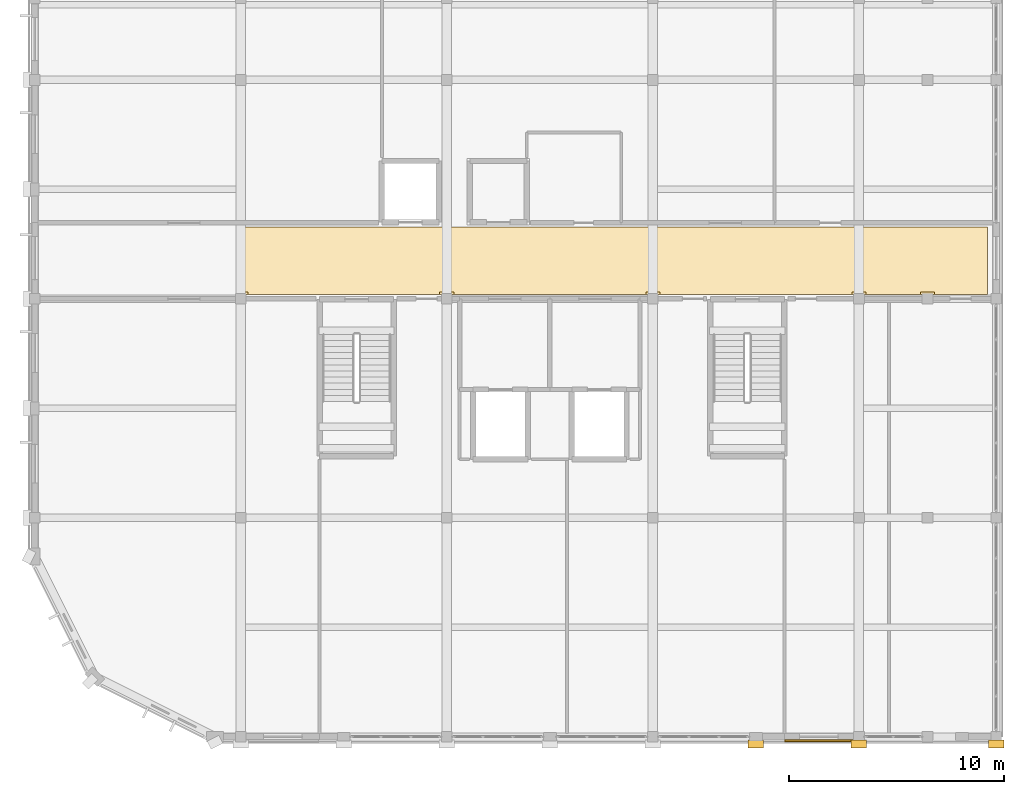
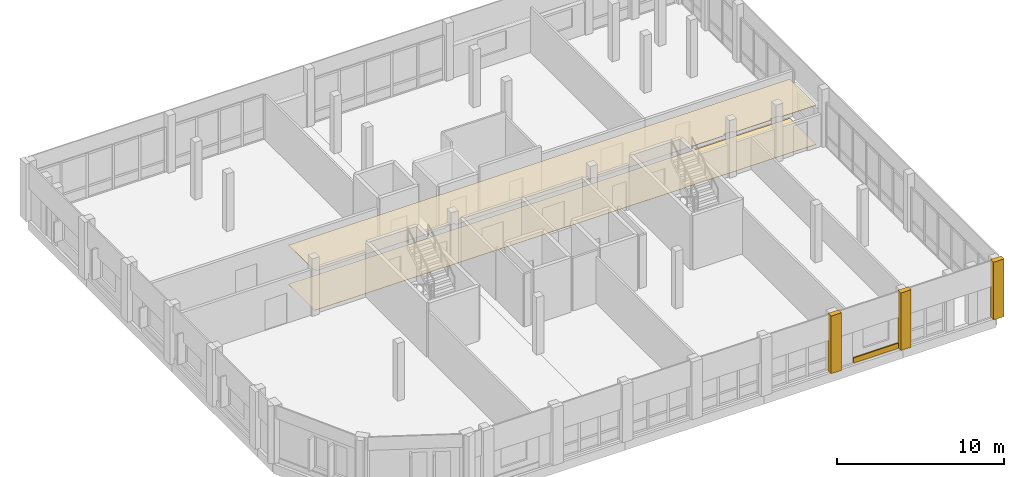
# One storey, part 27 of 29: 6 coverings.
"""IFC4 building model written with IfcOpenShell, lengths in metres."""

import ifcopenshell
import ifcopenshell.guid

model = None  # the IFC model being written
_history = None  # IfcOwnerHistory: only IFC2X3 demands one
_inside = {}  # id of a spatial element -> (the spatial element, [elements in it])
_under = {}  # id of a project, library or spatial element -> (it, [spatial elements below it])
_declared = {}  # id of a project -> (the project, [libraries it declares])
_typed = {}  # id of a type object -> (the type object, [elements of that type])
_made_of = {}  # id of a material, layer set ... -> (it, [elements and type objects made of it])


def new_model(schema):
    """Start an empty IFC model of exactly this schema.

    Asked for "IFC4X3", IfcOpenShell would pick the latest addendum, in which some entities
    have other attributes; the version numbers below select the first issue.
    IFC2X3 requires an IfcOwnerHistory on every rooted entity: one is made here for all.
    """
    global model, _history
    if schema == "IFC4X3":
        model = ifcopenshell.file(schema_version=(4, 3, 0, 0))
    else:
        model = ifcopenshell.file(schema=schema)
    _inside.clear()
    _under.clear()
    _declared.clear()
    _typed.clear()
    _made_of.clear()
    _history = None
    if model.schema == "IFC2X3":
        org = make("IfcOrganization", Name="unknown")
        user = make(
            "IfcPersonAndOrganization",
            ThePerson=make("IfcPerson", FamilyName="unknown"),
            TheOrganization=org,
        )
        app = make(
            "IfcApplication",
            ApplicationDeveloper=org,
            Version="unknown",
            ApplicationFullName="unknown",
            ApplicationIdentifier="unknown",
        )
        _history = make(
            "IfcOwnerHistory",
            OwningUser=user,
            OwningApplication=app,
            ChangeAction="ADDED",
            CreationDate=0,
        )
    return model


def make(cls, **values):
    """One entity of the class cls with the attributes given. An attribute that is None is left unset."""
    return model.create_entity(
        cls, **{name: value for name, value in values.items() if value is not None}
    )


def rooted(cls, **values):
    """An entity with a GlobalId (a new one), such as an element, a storey or a relation."""
    return make(cls, GlobalId=ifcopenshell.guid.new(), OwnerHistory=_history, **values)


def si_unit(unit_type, name, prefix=None):
    """IfcSIUnit, for example si_unit("LENGTHUNIT", "METRE", prefix="MILLI")."""
    return make("IfcSIUnit", UnitType=unit_type, Prefix=prefix, Name=name)


def assignment(units):
    """IfcUnitAssignment: the units of a project."""
    return None if units is None else make("IfcUnitAssignment", Units=units)


def point(xyz):
    """IfcCartesianPoint."""
    return None if xyz is None else make("IfcCartesianPoint", Coordinates=xyz)


def direction(xyz):
    """IfcDirection."""
    return None if xyz is None else make("IfcDirection", DirectionRatios=xyz)


def frame(location, z_axis=None, x_axis=None):
    """IfcAxis2Placement3D, a coordinate frame: its origin and axes. An axis left out is left unset."""
    return make(
        "IfcAxis2Placement3D",
        Location=point(location),
        Axis=direction(z_axis),
        RefDirection=direction(x_axis),
    )


def frame_2d(location, x_axis=None):
    """IfcAxis2Placement2D, a coordinate frame in the plane: its origin and x axis."""
    return make(
        "IfcAxis2Placement2D", Location=point(location), RefDirection=direction(x_axis)
    )


def origin():
    """The frame at (0, 0, 0) with its axes left unset."""
    return frame((0.0, 0.0, 0.0))


def origin_2d():
    """The frame at (0, 0) in the plane with its x axis left unset."""
    return frame_2d((0.0, 0.0))


def place(relative_to, where):
    """IfcLocalPlacement: puts the frame where relative to a parent placement (None: the world)."""
    return make(
        "IfcLocalPlacement", PlacementRelTo=relative_to, RelativePlacement=where
    )


def context(
    kind, dimensions, precision=None, world=None, true_north=None, identifier=None
):
    """IfcGeometricRepresentationContext, for example the 3D "Model" context."""
    return make(
        "IfcGeometricRepresentationContext",
        ContextIdentifier=identifier,
        ContextType=kind,
        CoordinateSpaceDimension=dimensions,
        Precision=precision,
        WorldCoordinateSystem=world,
        TrueNorth=true_north,
    )


def subcontext(parent, identifier, kind, view, scale=None):
    """IfcGeometricRepresentationSubContext, for example "Body" below "Model"."""
    return make(
        "IfcGeometricRepresentationSubContext",
        ContextIdentifier=identifier,
        ContextType=kind,
        ParentContext=parent,
        TargetScale=scale,
        TargetView=view,
    )


def project(units=None, contexts=None):
    """IfcProject with its units and contexts."""
    return rooted(
        "IfcProject",
        Name="project",
        RepresentationContexts=contexts,
        UnitsInContext=assignment(units),
    )


def spatial(cls, under=None, at=None, **own):
    """A site, building, storey or space (cls), placed at a placement, below another one or the project."""
    s = rooted(cls, ObjectPlacement=at, **own)
    if under is not None:
        _under.setdefault(under.id(), (under, []))[1].append(s)
    return s


def polyline(points):
    """IfcPolyline through the points."""
    return make("IfcPolyline", Points=[point(p) for p in points])


def profile(cls, at=None, kind="AREA", **sizes):
    """A parametric profile (cls). Its sizes go by their IFC names, for example OverallWidth=200.0."""
    return make(cls, ProfileType=kind, Position=at, **sizes)


def rectangle(**sizes):
    """IfcRectangleProfileDef."""
    return profile("IfcRectangleProfileDef", **sizes)


def outline(outer, holes=None, kind="AREA"):
    """IfcArbitraryClosedProfileDef: a profile drawn as a closed curve; with holes, ...WithVoids."""
    if holes is None:
        return make("IfcArbitraryClosedProfileDef", ProfileType=kind, OuterCurve=outer)
    return make(
        "IfcArbitraryProfileDefWithVoids",
        ProfileType=kind,
        OuterCurve=outer,
        InnerCurves=holes,
    )


def extrude(swept, where, along, depth):
    """IfcExtrudedAreaSolid: the profile swept, set in the frame where, extruded along a direction by depth."""
    return make(
        "IfcExtrudedAreaSolid",
        SweptArea=swept,
        Position=where,
        ExtrudedDirection=direction(along),
        Depth=depth,
    )


def shape(context_of_items, identifier, shape_type, items):
    """IfcShapeRepresentation: the items that make up one representation, for example the "Body"."""
    return make(
        "IfcShapeRepresentation",
        ContextOfItems=context_of_items,
        RepresentationIdentifier=identifier,
        RepresentationType=shape_type,
        Items=items,
    )


def material(Name=None, Category=None):
    """IfcMaterial."""
    return make("IfcMaterial", Name=Name, Category=Category)


def layer(
    of_material, thickness, ventilated=None, Name=None, Category=None, Priority=None
):
    """IfcMaterialLayer: one layer of a wall or slab, of a material (None: an air gap)."""
    return make(
        "IfcMaterialLayer",
        Material=of_material,
        LayerThickness=thickness,
        IsVentilated=ventilated,
        Name=Name,
        Category=Category,
        Priority=Priority,
    )


def layer_set(layers, Name=None):
    """IfcMaterialLayerSet."""
    return make("IfcMaterialLayerSet", MaterialLayers=layers, LayerSetName=Name)


def made_of(thing, what):
    """Note that an element or type object is made of a material, layer set ...; save() writes the relation."""
    if what is not None:
        _made_of.setdefault(what.id(), (what, []))[1].append(thing)
    return thing


def type_object(cls, material=None, **own):
    """A type object (cls), such as IfcWallType, which elements share."""
    return made_of(rooted(cls, **own), material)


def element(
    cls,
    number,
    at=None,
    inside=None,
    cuts=None,
    type_object=None,
    material=None,
    context=None,
    identifier="Body",
    shape_type=None,
    held_by="IfcProductDefinitionShape",
    body=None,
    shapes=None,
    **own,
):
    """One element of the class cls, such as IfcWall. Its Tag is "e" and its number.

    at: its placement. inside: the storey or other place that contains it. cuts: it is an
    opening in that element (IfcRelVoidsElement). A single representation is given by context,
    identifier, shape_type and body (its items); several are given by shapes. held_by: the class
    of the entity that holds the representations. save() writes the other relations.
    """
    e = rooted(cls, Tag="e%d" % number, ObjectPlacement=at, **own)
    if body is not None:
        shapes = [shape(context, identifier, shape_type, body)]
    if shapes is not None:
        e.Representation = make(held_by, Representations=shapes)
    if inside is not None:
        _inside.setdefault(inside.id(), (inside, []))[1].append(e)
    if cuts is not None:
        rooted(
            "IfcRelVoidsElement", RelatingBuildingElement=cuts, RelatedOpeningElement=e
        )
    if type_object is not None:
        _typed.setdefault(type_object.id(), (type_object, []))[1].append(e)
    return made_of(e, material)


def aggregate(whole, parts):
    """IfcRelAggregates: a whole, such as a stair, and the parts it consists of."""
    return rooted("IfcRelAggregates", RelatingObject=whole, RelatedObjects=parts)


def save(model, path):
    """Write the relations noted so far, then the file.

    IfcRelAggregates (storeys below a building ...), IfcRelContainedInSpatialStructure (elements
    in a storey), IfcRelDefinesByType, IfcRelAssociatesMaterial and IfcRelDeclares: one each for
    every whole, place, type object, material and project.
    """
    for whole, parts in _under.values():
        aggregate(whole, parts)
    for where, things in _inside.values():
        rooted(
            "IfcRelContainedInSpatialStructure",
            RelatedElements=things,
            RelatingStructure=where,
        )
    for kind, things in _typed.values():
        rooted("IfcRelDefinesByType", RelatedObjects=things, RelatingType=kind)
    for what, things in _made_of.values():
        rooted("IfcRelAssociatesMaterial", RelatedObjects=things, RelatingMaterial=what)
    for by, libraries in _declared.values():
        rooted("IfcRelDeclares", RelatingContext=by, RelatedDefinitions=libraries)
    model.write(path)


model = new_model("IFC4")

# Units and contexts
model_context = context("Model", 3, precision=1e-05, world=origin(), true_north=direction((0.0, 1.0)))
body_context = subcontext(model_context, "Body", "Model", "MODEL_VIEW")
ifc_project = project(units=[si_unit("LENGTHUNIT", "METRE"), si_unit("AREAUNIT", "SQUARE_METRE"), si_unit("VOLUMEUNIT", "CUBIC_METRE"), si_unit("PLANEANGLEUNIT", "RADIAN"), si_unit("MASSUNIT", "GRAM", prefix="KILO")], contexts=[model_context])

# Site, building, storey
site_placement = place(None, origin())
site = spatial("IfcSite", under=ifc_project, at=site_placement, CompositionType="ELEMENT")
building_placement = place(site_placement, origin())
building = spatial("IfcBuilding", under=site, at=building_placement, Name="Vondelvale Polytechnic", CompositionType="ELEMENT")
storey_placement = place(building_placement, frame((0.0, 0.0, 26.39990234375)))
storey = spatial("IfcBuildingStorey", under=building, at=storey_placement, Name="L06", CompositionType="ELEMENT", Elevation=26.39990234375)

# Coverings
ifc_material_1 = material(Name="Amsterdam School iron-spot clinker clay brickwork", Category="masonry")
ifc_layer_1 = layer(ifc_material_1, 0.090087890625)
ifc_layer_set_1 = layer_set([ifc_layer_1], Name="COV-BRICK-RELIEF")
covering_type_1 = type_object("IfcCoveringType", Name="COV-BRICK-RELIEF", PredefinedType="CLADDING", material=ifc_layer_set_1)
covering_1_placement = place(storey_placement, frame((36.537109375, -0.19091796875, 0.000244140625), z_axis=(0.0, 0.0, 1.0), x_axis=(-1.0, 0.0, 0.0)))
element("IfcCovering", 1, at=covering_1_placement, inside=storey, type_object=covering_type_1, Name="L06 exterior corbelled masonry relief band", PredefinedType="CLADDING", context=body_context, shape_type="SweptSolid", body=[
    extrude(rectangle(XDim=3.1640625, YDim=0.090087890625, at=origin_2d()), origin(), (0.0, 0.0, 1.0), 0.3798828125),
])
for number, where, z_axis, x_axis, name in (
    (2, (33.60009765625, -0.340087890625, 0.0), (0.0, 0.0, 1.0), (1.0, 0.0, 0.0), "L06 Classical street pilaster"),
    (3, (38.39990234375, -0.340087890625, 0.0), (0.0, 0.0, 1.0), (1.0, 0.0, 0.0), "L06 Classical street pilaster"),
    (4, (44.800048828125, -0.340087890625, 0.0), (0.0, 0.0, 1.0), (1.0, 0.0, 0.0), "L06 Classical street pilaster"),
):
    element("IfcCovering", number, at=place(storey_placement, frame(where, z_axis=z_axis, x_axis=x_axis)), inside=storey, type_object=covering_type_1, Name=name, PredefinedType="CLADDING", context=body_context, shape_type="SweptSolid", body=[
        extrude(rectangle(XDim=0.719970703125, YDim=0.360107421875, at=origin_2d()), origin(), (0.0, 0.0, 1.0), 4.199951171875),
    ])
ifc_material_2 = material(Name="Perforated acoustic mineral-fibre and timber-batten ceiling", Category="wood")
ifc_layer_2 = layer(ifc_material_2, 0.030029296875)
ifc_layer_set_2 = layer_set([ifc_layer_2], Name="COV-CEIL-ACOUSTIC")
covering_type_2 = type_object("IfcCoveringType", Name="COV-CEIL-ACOUSTIC", PredefinedType="CEILING", material=ifc_layer_set_2)
covering_2_placement = place(storey_placement, frame((0.0, 0.0, 2.85009765625)))
element("IfcCovering", 5, at=covering_2_placement, inside=storey, type_object=covering_type_2, Name="L06 corridor acoustic baffle ceiling", PredefinedType="CEILING", context=body_context, shape_type="SweptSolid", body=[
    extrude(outline(polyline([(9.929931640625, 20.60009765625), (9.929931640625, 20.72998046875), (9.800048828125, 20.72998046875), (9.800048828125, 23.75), (44.39990234375, 23.75), (44.39990234375, 20.60009765625), (41.929931640625, 20.60009765625), (41.929931640625, 20.72998046875), (41.27001953125, 20.72998046875), (41.27001953125, 20.60009765625), (38.72998046875, 20.60009765625), (38.72998046875, 20.72998046875), (38.070068359375, 20.72998046875), (38.070068359375, 20.60009765625), (29.1298828125, 20.60009765625), (29.1298828125, 20.72998046875), (28.469970703125, 20.72998046875), (28.469970703125, 20.60009765625), (19.530029296875, 20.60009765625), (19.530029296875, 20.72998046875), (18.8701171875, 20.72998046875), (18.8701171875, 20.60009765625), (9.929931640625, 20.60009765625)])), origin(), (0.0, 0.0, 1.0), 0.030029296875),
])
ifc_material_3 = material(Name="Engineered Tasmanian oak studio and bridge joinery")
ifc_layer_3 = layer(ifc_material_3, 0.02197265625)
ifc_layer_set_3 = layer_set([ifc_layer_3], Name="COV-FLOOR-OAK")
covering_type_3 = type_object("IfcCoveringType", Name="COV-FLOOR-OAK", PredefinedType="FLOORING", material=ifc_layer_set_3)
covering_3_placement = place(storey_placement, origin())
element("IfcCovering", 6, at=covering_3_placement, inside=storey, type_object=covering_type_3, Name="L06 architectural floor finish", PredefinedType="FLOORING", context=body_context, shape_type="SweptSolid", body=[
    extrude(outline(polyline([(9.800048828125, 20.60009765625), (44.39990234375, 20.60009765625), (44.39990234375, 23.75), (9.800048828125, 23.75), (9.800048828125, 20.60009765625)])), origin(), (0.0, 0.0, 1.0), 0.025146484375),
])

save(model, "model.ifc")
